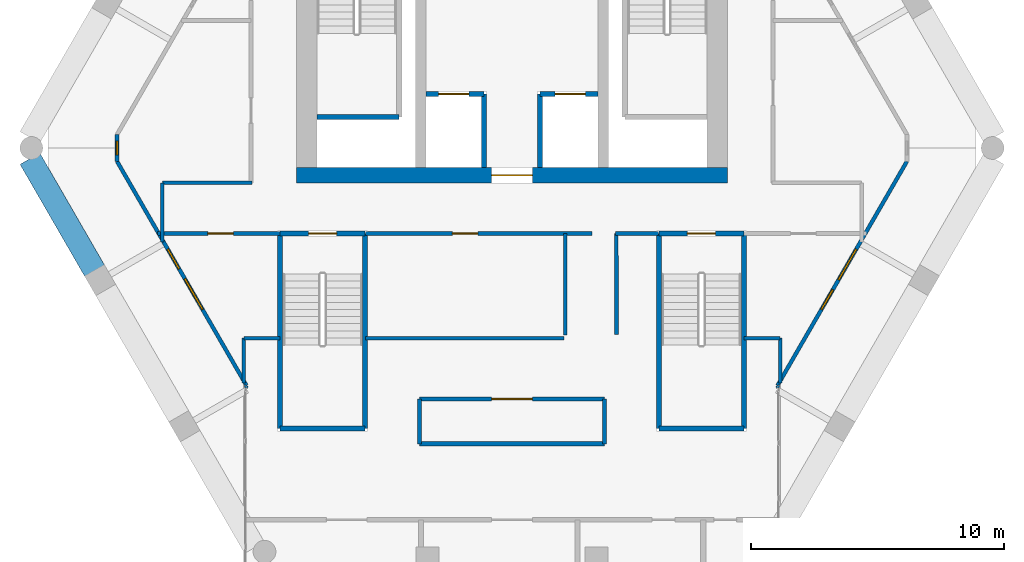
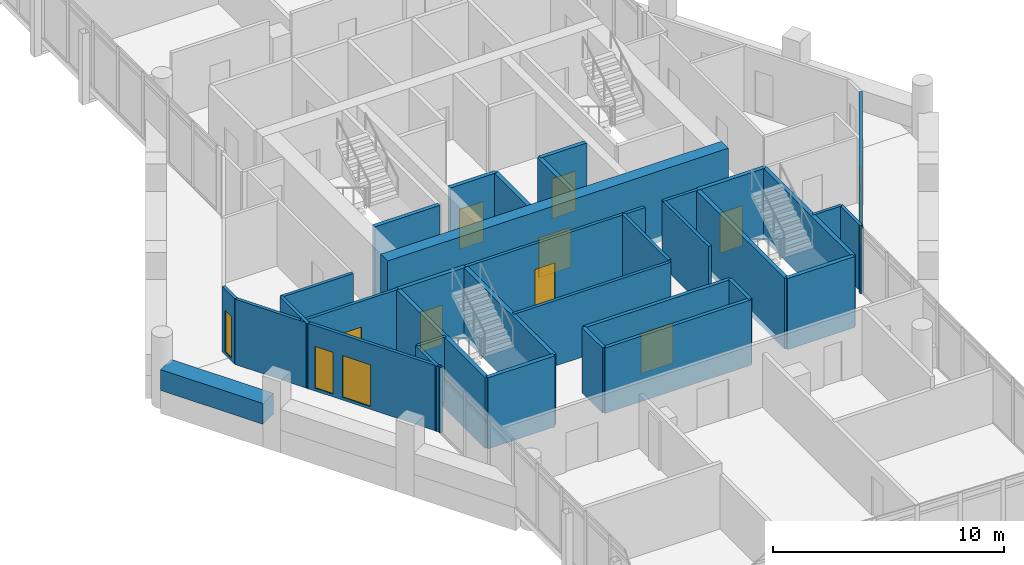
# One storey, part 21 of 25: 36 walls, 8 doors, 5 windows, 13 openings.
"""IFC4 building model written with IfcOpenShell, lengths in metres."""

from ifc_helpers import new_model, si_unit, direction, frame, frame_2d, origin, place, context, subcontext, project, spatial, rectangle, extrude, material, layer, layer_set, type_object, element, fill, save


model = new_model("IFC4")

# Units and contexts
model_context = context("Model", 3, precision=1e-05, world=origin(), true_north=direction((0.0, 1.0)))
body_context = subcontext(model_context, "Body", "Model", "MODEL_VIEW")
ifc_project = project(units=[si_unit("LENGTHUNIT", "METRE"), si_unit("AREAUNIT", "SQUARE_METRE"), si_unit("VOLUMEUNIT", "CUBIC_METRE"), si_unit("PLANEANGLEUNIT", "RADIAN"), si_unit("MASSUNIT", "GRAM", prefix="KILO")], contexts=[model_context])

# Site, building, storey
site_placement = place(None, origin())
site = spatial("IfcSite", under=ifc_project, at=site_placement, CompositionType="ELEMENT")
building_placement = place(site_placement, origin())
building = spatial("IfcBuilding", under=site, at=building_placement, Name="Ostrander Bayou Hotel Tower", CompositionType="ELEMENT")
storey_placement = place(building_placement, frame((0.0, 0.0, 229.5)))
storey = spatial("IfcBuildingStorey", under=building, at=storey_placement, Name="L57", CompositionType="ELEMENT", Elevation=229.5)

# Wall, opening, door
ifc_material_1 = material(Name="Concrete f'c 60 MPa", Category="concrete")
ifc_layer_1 = layer(ifc_material_1, 0.60009765625)
ifc_layer_set_1 = layer_set([ifc_layer_1], Name="CW10 core wall 600 mm f'c 60 MPa")
wall_type_1 = type_object("IfcWallType", Name="CW10 core wall 600 mm f'c 60 MPa", PredefinedType="SHEAR", material=ifc_layer_set_1)
wall_1_placement = place(storey_placement, frame((-8.5, -1.39990234375, -0.300048828125), z_axis=(0.0, 0.0, 1.0), x_axis=(1.0, 0.0, 0.0)))
wall_1 = element("IfcWall", 1, at=wall_1_placement, inside=storey, type_object=wall_type_1, Name="CW10 L57 S", PredefinedType="SHEAR", context=body_context, shape_type="SweptSolid", body=[
    extrude(rectangle(XDim=17.0, YDim=0.60009765625, at=frame_2d((8.5, 0.0))), origin(), (0.0, 0.0, 1.0), 3.75),
])
opening_1_placement = place(wall_1_placement, frame((7.699951171875, 0.0, 0.0)))
opening_1 = element("IfcOpeningElement", 2, at=opening_1_placement, cuts=wall_1, Name="Opening T57-005", PredefinedType="OPENING", context=body_context, shape_type="SweptSolid", body=[
    extrude(rectangle(XDim=1.60009765625, YDim=2.10009765625, at=frame_2d((0.800048828125, 1.050048828125))), frame((0.0, 0.300048828125, 0.0), z_axis=(0.0, -1.0, 0.0), x_axis=(1.0, 0.0, 0.0)), (0.0, 0.0, 1.0), 0.60009765625),
])
ifc_material_2 = material(Name="Timber door leaf", Category="wood")
door_type_1 = type_object("IfcDoorType", Name="D13 double door 1600 x 2100 mm, 1 hour", OperationType="SINGLE_SWING_LEFT", PredefinedType="DOOR", material=ifc_material_2)
door_1_placement = place(opening_1_placement, origin())
door_1 = element("IfcDoor", 3, at=door_1_placement, inside=storey, type_object=door_type_1, Name="dr:L57:005", OperationType="DOUBLE_DOOR_SINGLE_SWING", OverallHeight=2.10009765625, OverallWidth=1.60009765625, PredefinedType="DOOR", context=body_context, shape_type="SweptSolid", body=[
    extrude(rectangle(XDim=1.60009765625, YDim=2.10009765625, at=frame_2d((0.800048828125, 1.050048828125))), frame((0.0, 0.02490234375, 0.0), z_axis=(0.0, -1.0, 0.0), x_axis=(1.0, 0.0, 0.0)), (0.0, 0.0, 1.0), 0.050048828125),
])
fill(opening_1, door_1)

# Wall, openings, windows
ifc_material_3 = material(Name="Aluminium framed insulated wall", Category="aluminium")
ifc_layer_2 = layer(ifc_material_3, 0.14990234375)
ifc_layer_set_2 = layer_set([ifc_layer_2], Name="GW1 glass-line wall 150 mm")
wall_type_2 = type_object("IfcWallType", Name="GW1 glass-line wall 150 mm", PredefinedType="SOLIDWALL", material=ifc_layer_set_2)
wall_2_placement = place(storey_placement, frame((-15.582763671875, -0.85986328125, 0.0), z_axis=(0.0, 0.0, 1.0), x_axis=(0.499995050918, -0.866028261119, 0.0)))
wall_2 = element("IfcWall", 4, at=wall_2_placement, inside=storey, type_object=wall_type_2, Name="GW1 L57 SW 1", PredefinedType="SOLIDWALL", context=body_context, shape_type="SweptSolid", body=[
    extrude(rectangle(XDim=10.20751953125, YDim=0.14990234375, at=frame_2d((5.103759765625, 0.0))), origin(), (0.0, 0.0, 1.0), 3.449951171875),
])
opening_2_placement = place(wall_2_placement, frame((3.993896484375, 0.0, 0.14990234375)))
opening_2 = element("IfcOpeningElement", 5, at=opening_2_placement, cuts=wall_2, Name="Opening W18", PredefinedType="OPENING", context=body_context, shape_type="SweptSolid", body=[
    extrude(rectangle(XDim=0.89990234375, YDim=2.199951171875, at=frame_2d((0.449951171875, 1.10009765625))), frame((0.0, 0.074951171875, 0.0), z_axis=(0.0, -1.0, 0.0), x_axis=(1.0, 0.0, 0.0)), (0.0, 0.0, 1.0), 0.14990234375),
])
opening_3_placement = place(wall_2_placement, frame((5.3466796875, 0.0, 0.14990234375)))
opening_3 = element("IfcOpeningElement", 6, at=opening_3_placement, cuts=wall_2, Name="Opening W14", PredefinedType="OPENING", context=body_context, shape_type="SweptSolid", body=[
    extrude(rectangle(XDim=1.39990234375, YDim=2.199951171875, at=frame_2d((0.699951171875, 1.10009765625))), frame((0.0, 0.074951171875, 0.0), z_axis=(0.0, -1.0, 0.0), x_axis=(1.0, 0.0, 0.0)), (0.0, 0.0, 1.0), 0.14990234375),
])
ifc_material_4 = material(Name="Aluminium and clear glass", Category="aluminium")
window_type_1 = type_object("IfcWindowType", Name="W14 fixed window 1400 mm, bath bay, zone 4", PartitioningType="SINGLE_PANEL", PredefinedType="WINDOW", material=ifc_material_4)
window_1_placement = place(opening_3_placement, origin())
window_1 = element("IfcWindow", 7, at=window_1_placement, inside=storey, type_object=window_type_1, Name="W14 L57 SW 1", OverallHeight=2.199951171875, OverallWidth=1.39990234375, PartitioningType="SINGLE_PANEL", PredefinedType="WINDOW", context=body_context, shape_type="SweptSolid", body=[
    extrude(rectangle(XDim=1.39990234375, YDim=2.199951171875, at=frame_2d((0.699951171875, 1.10009765625))), frame((0.0, 0.030029296875, 0.0), z_axis=(0.0, -1.0, 0.0), x_axis=(1.0, 0.0, 0.0)), (0.0, 0.0, 1.0), 0.06005859375),
])
fill(opening_3, window_1)
ifc_material_5 = material(Name="Aluminium and clear glass", Category="aluminium")
window_type_2 = type_object("IfcWindowType", Name="W18 window 900 mm, zone 4", PartitioningType="SINGLE_PANEL", PredefinedType="WINDOW", material=ifc_material_5)
window_2_placement = place(opening_2_placement, origin())
window_2 = element("IfcWindow", 8, at=window_2_placement, inside=storey, type_object=window_type_2, Name="W18 L57 SW 1", OverallHeight=2.199951171875, OverallWidth=0.89990234375, PartitioningType="SINGLE_PANEL", PredefinedType="WINDOW", context=body_context, shape_type="SweptSolid", body=[
    extrude(rectangle(XDim=0.89990234375, YDim=2.199951171875, at=frame_2d((0.449951171875, 1.10009765625))), frame((0.0, 0.030029296875, 0.0), z_axis=(0.0, -1.0, 0.0), x_axis=(1.0, 0.0, 0.0)), (0.0, 0.0, 1.0), 0.06005859375),
])
fill(opening_2, window_2)

wall_3_placement = place(storey_placement, frame((10.47900390625, -9.699951171875, 0.0), z_axis=(0.0, 0.0, 1.0), x_axis=(0.499995050918, 0.866028261119, 0.0)))
wall_3 = element("IfcWall", 9, at=wall_3_placement, inside=storey, type_object=wall_type_2, Name="GW1 L57 SE 1", PredefinedType="SOLIDWALL", context=body_context, shape_type="SweptSolid", body=[
    extrude(rectangle(XDim=10.20751953125, YDim=0.14990234375, at=frame_2d((5.103759765625, 0.0))), origin(), (0.0, 0.0, 1.0), 3.449951171875),
])
opening_4_placement = place(wall_3_placement, frame((3.4609375, 0.0, 0.14990234375)))
opening_4 = element("IfcOpeningElement", 10, at=opening_4_placement, cuts=wall_3, Name="Opening W18", PredefinedType="OPENING", context=body_context, shape_type="SweptSolid", body=[
    extrude(rectangle(XDim=0.89990234375, YDim=2.199951171875, at=frame_2d((0.449951171875, 1.10009765625))), frame((0.0, 0.074951171875, 0.0), z_axis=(0.0, -1.0, 0.0), x_axis=(1.0, 0.0, 0.0)), (0.0, 0.0, 1.0), 0.14990234375),
])
opening_5_placement = place(wall_3_placement, frame((4.81396484375, 0.0, 0.14990234375)))
opening_5 = element("IfcOpeningElement", 11, at=opening_5_placement, cuts=wall_3, Name="Opening W14", PredefinedType="OPENING", context=body_context, shape_type="SweptSolid", body=[
    extrude(rectangle(XDim=1.39990234375, YDim=2.199951171875, at=frame_2d((0.699951171875, 1.10009765625))), frame((0.0, 0.074951171875, 0.0), z_axis=(0.0, -1.0, 0.0), x_axis=(1.0, 0.0, 0.0)), (0.0, 0.0, 1.0), 0.14990234375),
])
window_3_placement = place(opening_5_placement, origin())
window_3 = element("IfcWindow", 12, at=window_3_placement, inside=storey, type_object=window_type_1, Name="W14 L57 SE 2", OverallHeight=2.199951171875, OverallWidth=1.39990234375, PartitioningType="SINGLE_PANEL", PredefinedType="WINDOW", context=body_context, shape_type="SweptSolid", body=[
    extrude(rectangle(XDim=1.39990234375, YDim=2.199951171875, at=frame_2d((0.699951171875, 1.10009765625))), frame((0.0, 0.030029296875, 0.0), z_axis=(0.0, -1.0, 0.0), x_axis=(1.0, 0.0, 0.0)), (0.0, 0.0, 1.0), 0.06005859375),
])
fill(opening_5, window_3)
window_4_placement = place(opening_4_placement, origin())
window_4 = element("IfcWindow", 13, at=window_4_placement, inside=storey, type_object=window_type_2, Name="W18 L57 SE 2", OverallHeight=2.199951171875, OverallWidth=0.89990234375, PartitioningType="SINGLE_PANEL", PredefinedType="WINDOW", context=body_context, shape_type="SweptSolid", body=[
    extrude(rectangle(XDim=0.89990234375, YDim=2.199951171875, at=frame_2d((0.449951171875, 1.10009765625))), frame((0.0, 0.030029296875, 0.0), z_axis=(0.0, -1.0, 0.0), x_axis=(1.0, 0.0, 0.0)), (0.0, 0.0, 1.0), 0.06005859375),
])
fill(opening_4, window_4)

# Wall, opening, window
wall_4_placement = place(storey_placement, frame((-15.582763671875, 0.205078125, 0.0), z_axis=(0.0, 0.0, 1.0), x_axis=(0.0, -1.0, 0.0)))
wall_4 = element("IfcWall", 14, at=wall_4_placement, inside=storey, type_object=wall_type_2, Name="GW1 L57 corner 2", PredefinedType="SOLIDWALL", context=body_context, shape_type="SweptSolid", body=[
    extrude(rectangle(XDim=1.06494140625, YDim=0.14990234375, at=frame_2d((0.532470703125, 0.0))), origin(), (0.0, 0.0, 1.0), 3.449951171875),
])
opening_6_placement = place(wall_4_placement, frame((0.257568359375, 0.0, 0.14990234375)))
opening_6 = element("IfcOpeningElement", 15, at=opening_6_placement, cuts=wall_4, Name="Opening W19", PredefinedType="OPENING", context=body_context, shape_type="SweptSolid", body=[
    extrude(rectangle(XDim=0.550048828125, YDim=2.199951171875, at=frame_2d((0.27490234375, 1.10009765625))), frame((0.0, 0.074951171875, 0.0), z_axis=(0.0, -1.0, 0.0), x_axis=(1.0, 0.0, 0.0)), (0.0, 0.0, 1.0), 0.14990234375),
])
ifc_material_6 = material(Name="Aluminium and clear glass", Category="aluminium")
window_type_3 = type_object("IfcWindowType", Name="W19 corner window 550 mm", PartitioningType="SINGLE_PANEL", PredefinedType="WINDOW", material=ifc_material_6)
window_5_placement = place(opening_6_placement, origin())
window_5 = element("IfcWindow", 16, at=window_5_placement, inside=storey, type_object=window_type_3, Name="W19 L57 corner 2", OverallHeight=2.199951171875, OverallWidth=0.550048828125, PartitioningType="SINGLE_PANEL", PredefinedType="WINDOW", context=body_context, shape_type="SweptSolid", body=[
    extrude(rectangle(XDim=0.550048828125, YDim=2.199951171875, at=frame_2d((0.27490234375, 1.10009765625))), frame((0.0, 0.030029296875, 0.0), z_axis=(0.0, -1.0, 0.0), x_axis=(1.0, 0.0, 0.0)), (0.0, 0.0, 1.0), 0.06005859375),
])
fill(opening_6, window_5)

# Walls
for number, where, z_axis, x_axis, name in (
    (17, (-10.47900390625, -9.699951171875, 0.0), (0.0, 0.0, 1.0), (-0.338543167143, -0.940950861619, 0.0), "GW1 L57 bar joint 2"),
    (18, (10.47900390625, -9.699951171875, 0.0), (0.0, 0.0, 1.0), (0.338543167143, -0.940950861619, 0.0), "GW1 L57 bar joint 3"),
):
    element("IfcWall", number, at=place(storey_placement, frame(where, z_axis=z_axis, x_axis=x_axis)), inside=storey, type_object=wall_type_2, Name=name, PredefinedType="SOLIDWALL", context=body_context, shape_type="SweptSolid", body=[
        extrude(rectangle(XDim=0.09814453125, YDim=0.14990234375, at=frame_2d((0.049072265625, 0.0))), origin(), (0.0, 0.0, 1.0), 3.449951171875),
    ])
ifc_material_7 = material(Name="Limestone masonry", Category="masonry")
ifc_layer_3 = layer(ifc_material_7, 0.89990234375)
ifc_layer_set_3 = layer_set([ifc_layer_3], Name="PA2 limestone parapet 900 mm")
wall_type_3 = type_object("IfcWallType", Name="PA2 limestone parapet 900 mm", PredefinedType="PARAPET", material=ifc_layer_set_3)
wall_5_placement = place(storey_placement, frame((-19.024169921875, -0.749267578125, 0.0), z_axis=(0.0, 0.0, 1.0), x_axis=(0.499995206172, -0.866028171485, 0.0)))
element("IfcWall", 19, at=wall_5_placement, inside=storey, type_object=wall_type_3, Name="PA2 L57 SW-1", PredefinedType="PARAPET", context=body_context, shape_type="SweptSolid", body=[
    extrude(rectangle(XDim=5.11376953125, YDim=0.89990234375, at=frame_2d((2.556884765625, 0.0))), origin(), (0.0, 0.0, 1.0), 1.10009765625),
])
ifc_material_8 = material(Name="Gypsum board partition", Category="finish")
ifc_layer_4 = layer(ifc_material_8, 0.175048828125)
ifc_layer_set_4 = layer_set([ifc_layer_4], Name="PT4 corridor wall 175 mm, 1 hour")
wall_type_4 = type_object("IfcWallType", Name="PT4 corridor wall 175 mm, 1 hour", PredefinedType="PARTITIONING", material=ifc_layer_set_4)
wall_6_placement = place(storey_placement, frame((-3.64990234375, -12.0, 0.0), z_axis=(0.0, 0.0, 1.0), x_axis=(1.0, 0.0, 0.0)))
element("IfcWall", 20, at=wall_6_placement, inside=storey, type_object=wall_type_4, Name="sw:L57:501", PredefinedType="PARTITIONING", context=body_context, shape_type="SweptSolid", body=[
    extrude(rectangle(XDim=7.2998046875, YDim=0.175048828125, at=frame_2d((3.64990234375, 0.0))), origin(), (0.0, 0.0, 1.0), 3.449951171875),
])

# Wall, opening, door
wall_7_placement = place(storey_placement, frame((-3.64990234375, -10.23291015625, 0.0), z_axis=(0.0, 0.0, 1.0), x_axis=(1.0, 0.0, 0.0)))
wall_7 = element("IfcWall", 21, at=wall_7_placement, inside=storey, type_object=wall_type_4, Name="sw:L57:502", PredefinedType="PARTITIONING", context=body_context, shape_type="SweptSolid", body=[
    extrude(rectangle(XDim=7.2998046875, YDim=0.175048828125, at=frame_2d((3.64990234375, 0.0))), origin(), (0.0, 0.0, 1.0), 3.449951171875),
])
opening_7_placement = place(wall_7_placement, frame((2.85009765625, 0.0, 0.0)))
opening_7 = element("IfcOpeningElement", 22, at=opening_7_placement, cuts=wall_7, Name="Opening T57-1200", PredefinedType="OPENING", context=body_context, shape_type="SweptSolid", body=[
    extrude(rectangle(XDim=1.60009765625, YDim=2.10009765625, at=frame_2d((0.800048828125, 1.050048828125))), frame((0.0, 0.08740234375, 0.0), z_axis=(0.0, -1.0, 0.0), x_axis=(1.0, 0.0, 0.0)), (0.0, 0.0, 1.0), 0.175048828125),
])
door_2_placement = place(opening_7_placement, origin())
door_2 = element("IfcDoor", 23, at=door_2_placement, inside=storey, type_object=door_type_1, Name="dr:L57:1200", OperationType="DOUBLE_DOOR_SINGLE_SWING", OverallHeight=2.10009765625, OverallWidth=1.60009765625, PredefinedType="DOOR", context=body_context, shape_type="SweptSolid", body=[
    extrude(rectangle(XDim=1.60009765625, YDim=2.10009765625, at=frame_2d((0.800048828125, 1.050048828125))), frame((0.0, 0.02490234375, 0.0), z_axis=(0.0, -1.0, 0.0), x_axis=(1.0, 0.0, 0.0)), (0.0, 0.0, 1.0), 0.050048828125),
])
fill(opening_7, door_2)

# Walls
for number, where, z_axis, x_axis, name in (
    (24, (-3.64990234375, -12.0, 0.0), (0.0, 0.0, 1.0), (0.0, 1.0, 0.0), "sw:L57:508"),
    (25, (3.64990234375, -12.0, 0.0), (0.0, 0.0, 1.0), (0.0, 1.0, 0.0), "sw:L57:509"),
):
    element("IfcWall", number, at=place(storey_placement, frame(where, z_axis=z_axis, x_axis=x_axis)), inside=storey, type_object=wall_type_4, Name=name, PredefinedType="PARTITIONING", context=body_context, shape_type="SweptSolid", body=[
        extrude(rectangle(XDim=1.7666015625, YDim=0.175048828125, at=frame_2d((0.88330078125, 0.0))), origin(), (0.0, 0.0, 1.0), 3.449951171875),
    ])

# Wall, opening, door
ifc_material_9 = material(Name="Masonry block", Category="masonry")
ifc_layer_5 = layer(ifc_material_9, 0.199951171875)
ifc_layer_set_5 = layer_set([ifc_layer_5], Name="PT6 lift shaft wall 200 mm masonry, 2 hour")
wall_type_5 = type_object("IfcWallType", Name="PT6 lift shaft wall 200 mm masonry, 2 hour", PredefinedType="PARTITIONING", material=ifc_layer_set_5)
wall_8_placement = place(storey_placement, frame((-3.39990234375, 1.800048828125, 0.0), z_axis=(0.0, 0.0, 1.0), x_axis=(1.0, 0.0, 0.0)))
wall_8 = element("IfcWall", 26, at=wall_8_placement, inside=storey, type_object=wall_type_5, Name="cs:L57:001", PredefinedType="PARTITIONING", context=body_context, shape_type="SweptSolid", body=[
    extrude(rectangle(XDim=2.2998046875, YDim=0.199951171875, at=frame_2d((1.14990234375, 0.0))), origin(), (0.0, 0.0, 1.0), 3.449951171875),
])
opening_8_placement = place(wall_8_placement, frame((0.5, 0.0, 0.0)))
opening_8 = element("IfcOpeningElement", 27, at=opening_8_placement, cuts=wall_8, Name="Opening T57-001", PredefinedType="OPENING", context=body_context, shape_type="SweptSolid", body=[
    extrude(rectangle(XDim=1.199951171875, YDim=2.10009765625, at=frame_2d((0.60009765625, 1.050048828125))), frame((0.0, 0.10009765625, 0.0), z_axis=(0.0, -1.0, 0.0), x_axis=(1.0, 0.0, 0.0)), (0.0, 0.0, 1.0), 0.199951171875),
])
ifc_material_10 = material(Name="Stainless steel sliding door", Category="steel")
door_type_2 = type_object("IfcDoorType", Name="LD1 lift landing door 1200 x 2100 mm", OperationType="SINGLE_SWING_LEFT", PredefinedType="DOOR", material=ifc_material_10)
door_3_placement = place(opening_8_placement, origin())
door_3 = element("IfcDoor", 28, at=door_3_placement, inside=storey, type_object=door_type_2, Name="dr:L57:001", OperationType="SLIDING_TO_LEFT", OverallHeight=2.10009765625, OverallWidth=1.199951171875, PredefinedType="DOOR", context=body_context, shape_type="SweptSolid", body=[
    extrude(rectangle(XDim=1.199951171875, YDim=2.10009765625, at=frame_2d((0.60009765625, 1.050048828125))), frame((0.0, 0.02490234375, 0.0), z_axis=(0.0, -1.0, 0.0), x_axis=(1.0, 0.0, 0.0)), (0.0, 0.0, 1.0), 0.050048828125),
])
fill(opening_8, door_3)

wall_9_placement = place(storey_placement, frame((1.10009765625, 1.800048828125, 0.0), z_axis=(0.0, 0.0, 1.0), x_axis=(1.0, 0.0, 0.0)))
wall_9 = element("IfcWall", 29, at=wall_9_placement, inside=storey, type_object=wall_type_5, Name="cs:L57:003", PredefinedType="PARTITIONING", context=body_context, shape_type="SweptSolid", body=[
    extrude(rectangle(XDim=2.2998046875, YDim=0.199951171875, at=frame_2d((1.14990234375, 0.0))), origin(), (0.0, 0.0, 1.0), 3.449951171875),
])
opening_9_placement = place(wall_9_placement, frame((0.60009765625, 0.0, 0.0)))
opening_9 = element("IfcOpeningElement", 30, at=opening_9_placement, cuts=wall_9, Name="Opening T57-002", PredefinedType="OPENING", context=body_context, shape_type="SweptSolid", body=[
    extrude(rectangle(XDim=1.199951171875, YDim=2.10009765625, at=frame_2d((0.60009765625, 1.050048828125))), frame((0.0, 0.10009765625, 0.0), z_axis=(0.0, -1.0, 0.0), x_axis=(1.0, 0.0, 0.0)), (0.0, 0.0, 1.0), 0.199951171875),
])
door_4_placement = place(opening_9_placement, origin())
door_4 = element("IfcDoor", 31, at=door_4_placement, inside=storey, type_object=door_type_2, Name="dr:L57:002", OperationType="SLIDING_TO_LEFT", OverallHeight=2.10009765625, OverallWidth=1.199951171875, PredefinedType="DOOR", context=body_context, shape_type="SweptSolid", body=[
    extrude(rectangle(XDim=1.199951171875, YDim=2.10009765625, at=frame_2d((0.60009765625, 1.050048828125))), frame((0.0, 0.02490234375, 0.0), z_axis=(0.0, -1.0, 0.0), x_axis=(1.0, 0.0, 0.0)), (0.0, 0.0, 1.0), 0.050048828125),
])
fill(opening_9, door_4)

# Walls
for number, where, z_axis, x_axis, name in (
    (32, (-1.10009765625, -1.10009765625, 0.0), (0.0, 0.0, 1.0), (0.0, 1.0, 0.0), "cs:L57:005"),
    (33, (1.10009765625, -1.10009765625, 0.0), (0.0, 0.0, 1.0), (0.0, 1.0, 0.0), "cs:L57:006"),
):
    element("IfcWall", number, at=place(storey_placement, frame(where, z_axis=z_axis, x_axis=x_axis)), inside=storey, type_object=wall_type_5, Name=name, PredefinedType="PARTITIONING", context=body_context, shape_type="SweptSolid", body=[
        extrude(rectangle(XDim=2.900146484375, YDim=0.199951171875, at=frame_2d((1.4501953125, 0.0))), origin(), (0.0, 0.0, 1.0), 3.449951171875),
    ])
ifc_material_11 = material(Name="Gypsum board partition", Category="finish")
ifc_layer_6 = layer(ifc_material_11, 0.14990234375)
ifc_layer_set_6 = layer_set([ifc_layer_6], Name="PT8 service band wall 150 mm, 1 hour")
wall_type_6 = type_object("IfcWallType", Name="PT8 service band wall 150 mm, 1 hour", PredefinedType="PARTITIONING", material=ifc_layer_set_6)
wall_10_placement = place(storey_placement, frame((-10.5849609375, -7.8349609375, 0.0), z_axis=(0.0, 0.0, 1.0), x_axis=(1.0, 0.0, 0.0)))
element("IfcWall", 34, at=wall_10_placement, inside=storey, type_object=wall_type_6, Name="gw:L57:001", PredefinedType="PARTITIONING", context=body_context, shape_type="SweptSolid", body=[
    extrude(rectangle(XDim=1.425048828125, YDim=0.14990234375, at=frame_2d((0.71240234375, 0.0))), origin(), (0.0, 0.0, 1.0), 3.449951171875),
])
wall_11_placement = place(storey_placement, frame((-5.7900390625, -7.8349609375, 0.0), z_axis=(0.0, 0.0, 1.0), x_axis=(1.0, 0.0, 0.0)))
element("IfcWall", 35, at=wall_11_placement, inside=storey, type_object=wall_type_6, Name="gw:L57:002", PredefinedType="PARTITIONING", context=body_context, shape_type="SweptSolid", body=[
    extrude(rectangle(XDim=7.840087890625, YDim=0.14990234375, at=frame_2d((3.919921875, 0.0))), origin(), (0.0, 0.0, 1.0), 3.449951171875),
])
wall_12_placement = place(storey_placement, frame((9.159912109375, -7.8349609375, 0.0), z_axis=(0.0, 0.0, 1.0), x_axis=(1.0, 0.0, 0.0)))
element("IfcWall", 36, at=wall_12_placement, inside=storey, type_object=wall_type_6, Name="gw:L57:003", PredefinedType="PARTITIONING", context=body_context, shape_type="SweptSolid", body=[
    extrude(rectangle(XDim=1.425048828125, YDim=0.14990234375, at=frame_2d((0.71240234375, 0.0))), origin(), (0.0, 0.0, 1.0), 3.449951171875),
])

# Wall, opening, door
wall_13_placement = place(storey_placement, frame((-13.9951171875, -3.699951171875, 0.0), z_axis=(0.0, 0.0, 1.0), x_axis=(1.0, 0.0, 0.0)))
wall_13 = element("IfcWall", 37, at=wall_13_placement, inside=storey, type_object=wall_type_6, Name="gw:L57:004", PredefinedType="PARTITIONING", context=body_context, shape_type="SweptSolid", body=[
    extrude(rectangle(XDim=4.835205078125, YDim=0.14990234375, at=frame_2d((2.41748046875, 0.0))), origin(), (0.0, 0.0, 1.0), 3.449951171875),
])
opening_10_placement = place(wall_13_placement, frame((1.9951171875, 0.0, 0.0)))
opening_10 = element("IfcOpeningElement", 38, at=opening_10_placement, cuts=wall_13, Name="Opening T57-401", PredefinedType="OPENING", context=body_context, shape_type="SweptSolid", body=[
    extrude(rectangle(XDim=1.0, YDim=2.10009765625, at=frame_2d((0.5, 1.050048828125))), frame((0.0, 0.074951171875, 0.0), z_axis=(0.0, -1.0, 0.0), x_axis=(1.0, 0.0, 0.0)), (0.0, 0.0, 1.0), 0.14990234375),
])
ifc_material_12 = material(Name="Timber door leaf", Category="wood")
door_type_3 = type_object("IfcDoorType", Name="D9 service door 1000 x 2100 mm, 30 minute", OperationType="SINGLE_SWING_LEFT", PredefinedType="DOOR", material=ifc_material_12)
door_5_placement = place(opening_10_placement, origin())
door_5 = element("IfcDoor", 39, at=door_5_placement, inside=storey, type_object=door_type_3, Name="dr:L57:401", OperationType="SINGLE_SWING_RIGHT", OverallHeight=2.10009765625, OverallWidth=1.0, PredefinedType="DOOR", context=body_context, shape_type="SweptSolid", body=[
    extrude(rectangle(XDim=1.0, YDim=2.10009765625, at=frame_2d((0.5, 1.050048828125))), frame((0.0, 0.02490234375, 0.0), z_axis=(0.0, -1.0, 0.0), x_axis=(1.0, 0.0, 0.0)), (0.0, 0.0, 1.0), 0.050048828125),
])
fill(opening_10, door_5)

wall_14_placement = place(storey_placement, frame((-5.7900390625, -3.699951171875, 0.0), z_axis=(0.0, 0.0, 1.0), x_axis=(1.0, 0.0, 0.0)))
wall_14 = element("IfcWall", 40, at=wall_14_placement, inside=storey, type_object=wall_type_6, Name="gw:L57:005", PredefinedType="PARTITIONING", context=body_context, shape_type="SweptSolid", body=[
    extrude(rectangle(XDim=8.945068359375, YDim=0.14990234375, at=frame_2d((4.47265625, 0.0))), origin(), (0.0, 0.0, 1.0), 3.449951171875),
])
opening_11_placement = place(wall_14_placement, frame((3.43994140625, 0.0, 0.0)))
opening_11 = element("IfcOpeningElement", 41, at=opening_11_placement, cuts=wall_14, Name="Opening T57-400", PredefinedType="OPENING", context=body_context, shape_type="SweptSolid", body=[
    extrude(rectangle(XDim=1.0, YDim=2.10009765625, at=frame_2d((0.5, 1.050048828125))), frame((0.0, 0.074951171875, 0.0), z_axis=(0.0, -1.0, 0.0), x_axis=(1.0, 0.0, 0.0)), (0.0, 0.0, 1.0), 0.14990234375),
])
ifc_material_13 = material(Name="Timber door leaf", Category="wood")
door_type_4 = type_object("IfcDoorType", Name="D15 room door 1000 x 2100 mm", OperationType="SINGLE_SWING_LEFT", PredefinedType="DOOR", material=ifc_material_13)
door_6_placement = place(opening_11_placement, origin())
door_6 = element("IfcDoor", 42, at=door_6_placement, inside=storey, type_object=door_type_4, Name="dr:L57:400", OperationType="SINGLE_SWING_RIGHT", OverallHeight=2.10009765625, OverallWidth=1.0, PredefinedType="DOOR", context=body_context, shape_type="SweptSolid", body=[
    extrude(rectangle(XDim=1.0, YDim=2.10009765625, at=frame_2d((0.5, 1.050048828125))), frame((0.0, 0.02490234375, 0.0), z_axis=(0.0, -1.0, 0.0), x_axis=(1.0, 0.0, 0.0)), (0.0, 0.0, 1.0), 0.050048828125),
])
fill(opening_11, door_6)

# Walls
wall_15_placement = place(storey_placement, frame((4.074951171875, -3.699951171875, 0.0), z_axis=(0.0, 0.0, 1.0), x_axis=(1.0, 0.0, 0.0)))
element("IfcWall", 43, at=wall_15_placement, inside=storey, type_object=wall_type_6, Name="gw:L57:006", PredefinedType="PARTITIONING", context=body_context, shape_type="SweptSolid", body=[
    extrude(rectangle(XDim=1.715087890625, YDim=0.14990234375, at=frame_2d((0.857421875, 0.0))), origin(), (0.0, 0.0, 1.0), 3.449951171875),
])
wall_16_placement = place(storey_placement, frame((-13.800048828125, -1.699951171875, 0.0), z_axis=(0.0, 0.0, 1.0), x_axis=(1.0, 0.0, 0.0)))
element("IfcWall", 44, at=wall_16_placement, inside=storey, type_object=wall_type_6, Name="gw:L57:008", PredefinedType="PARTITIONING", context=body_context, shape_type="SweptSolid", body=[
    extrude(rectangle(XDim=3.5400390625, YDim=0.14990234375, at=frame_2d((1.77001953125, 0.0))), origin(), (0.0, 0.0, 1.0), 3.449951171875),
])
wall_17_placement = place(storey_placement, frame((10.5849609375, -9.60595703125, 0.0), z_axis=(0.0, 0.0, 1.0), x_axis=(0.0, 1.0, 0.0)))
element("IfcWall", 45, at=wall_17_placement, inside=storey, type_object=wall_type_6, Name="gw:L57:015", PredefinedType="PARTITIONING", context=body_context, shape_type="SweptSolid", body=[
    extrude(rectangle(XDim=1.77099609375, YDim=0.14990234375, at=frame_2d((0.885498046875, 0.0))), origin(), (0.0, 0.0, 1.0), 3.449951171875),
])
wall_18_placement = place(storey_placement, frame((2.10009765625, -7.699951171875, 0.0), z_axis=(0.0, 0.0, 1.0), x_axis=(0.0, 1.0, 0.0)))
element("IfcWall", 46, at=wall_18_placement, inside=storey, type_object=wall_type_6, Name="gw:L57:018", PredefinedType="PARTITIONING", context=body_context, shape_type="SweptSolid", body=[
    extrude(rectangle(XDim=4.0, YDim=0.14990234375, at=frame_2d((2.0, 0.0))), origin(), (0.0, 0.0, 1.0), 3.449951171875),
])
wall_19_placement = place(storey_placement, frame((-10.5849609375, -9.60595703125, 0.0), z_axis=(0.0, 0.0, 1.0), x_axis=(0.0, 1.0, 0.0)))
element("IfcWall", 47, at=wall_19_placement, inside=storey, type_object=wall_type_6, Name="gw:L57:020", PredefinedType="PARTITIONING", context=body_context, shape_type="SweptSolid", body=[
    extrude(rectangle(XDim=1.77099609375, YDim=0.14990234375, at=frame_2d((0.885498046875, 0.0))), origin(), (0.0, 0.0, 1.0), 3.449951171875),
])
wall_20_placement = place(storey_placement, frame((-13.800048828125, -4.0380859375, 0.0), z_axis=(0.0, 0.0, 1.0), x_axis=(0.0, 1.0, 0.0)))
element("IfcWall", 48, at=wall_20_placement, inside=storey, type_object=wall_type_6, Name="gw:L57:022", PredefinedType="PARTITIONING", context=body_context, shape_type="SweptSolid", body=[
    extrude(rectangle(XDim=2.338134765625, YDim=0.14990234375, at=frame_2d((1.1689453125, 0.0))), origin(), (0.0, 0.0, 1.0), 3.449951171875),
])
wall_21_placement = place(storey_placement, frame((4.1298828125, -7.695068359375, 0.0), z_axis=(0.0, 0.0, 1.0), x_axis=(-0.003727669041, 0.999993052218, 0.0)))
element("IfcWall", 49, at=wall_21_placement, inside=storey, type_object=wall_type_6, Name="gw:L57:023", PredefinedType="PARTITIONING", context=body_context, shape_type="SweptSolid", body=[
    extrude(rectangle(XDim=3.9951171875, YDim=0.14990234375, at=frame_2d((1.99755859375, 0.0))), origin(), (0.0, 0.0, 1.0), 3.449951171875),
])
ifc_material_14 = material(Name="Concrete f'c 45 MPa", Category="concrete")
ifc_layer_7 = layer(ifc_material_14, 0.199951171875)
ifc_layer_set_7 = layer_set([ifc_layer_7], Name="SW5 stair enclosure wall 200 mm f'c 45 MPa")
wall_type_7 = type_object("IfcWallType", Name="SW5 stair enclosure wall 200 mm f'c 45 MPa", PredefinedType="SOLIDWALL", material=ifc_layer_set_7)
wall_22_placement = place(storey_placement, frame((-7.699951171875, 0.89990234375, -0.300048828125), z_axis=(0.0, 0.0, 1.0), x_axis=(1.0, 0.0, 0.0)))
element("IfcWall", 50, at=wall_22_placement, inside=storey, type_object=wall_type_7, Name="cs:L57:010", PredefinedType="SOLIDWALL", context=body_context, shape_type="SweptSolid", body=[
    extrude(rectangle(XDim=3.25, YDim=0.199951171875, at=frame_2d((1.625, 0.0))), origin(), (0.0, 0.0, 1.0), 3.75),
])

# Wall, opening, door
wall_23_placement = place(storey_placement, frame((5.800048828125, -3.699951171875, -0.300048828125), z_axis=(0.0, 0.0, 1.0), x_axis=(1.0, 0.0, 0.0)))
wall_23 = element("IfcWall", 51, at=wall_23_placement, inside=storey, type_object=wall_type_7, Name="cs:L57:013", PredefinedType="SOLIDWALL", context=body_context, shape_type="SweptSolid", body=[
    extrude(rectangle(XDim=3.349853515625, YDim=0.199951171875, at=frame_2d((1.6748046875, 0.0))), origin(), (0.0, 0.0, 1.0), 3.75),
])
opening_12_placement = place(wall_23_placement, frame((1.125, 0.0, 0.0)))
opening_12 = element("IfcOpeningElement", 52, at=opening_12_placement, cuts=wall_23, Name="Opening T57-011", PredefinedType="OPENING", context=body_context, shape_type="SweptSolid", body=[
    extrude(rectangle(XDim=1.10009765625, YDim=2.10009765625, at=frame_2d((0.550048828125, 1.050048828125))), frame((0.0, 0.10009765625, 0.0), z_axis=(0.0, -1.0, 0.0), x_axis=(1.0, 0.0, 0.0)), (0.0, 0.0, 1.0), 0.199951171875),
])
ifc_material_15 = material(Name="Timber door leaf", Category="wood")
door_type_5 = type_object("IfcDoorType", Name="D5 stair door 1100 x 2100 mm, 90 minute", OperationType="SINGLE_SWING_LEFT", PredefinedType="DOOR", material=ifc_material_15)
door_7_placement = place(opening_12_placement, origin())
door_7 = element("IfcDoor", 53, at=door_7_placement, inside=storey, type_object=door_type_5, Name="dr:L57:011", OperationType="SINGLE_SWING_LEFT", OverallHeight=2.10009765625, OverallWidth=1.10009765625, PredefinedType="DOOR", context=body_context, shape_type="SweptSolid", body=[
    extrude(rectangle(XDim=1.10009765625, YDim=2.10009765625, at=frame_2d((0.550048828125, 1.050048828125))), frame((0.0, 0.02490234375, 0.0), z_axis=(0.0, -1.0, 0.0), x_axis=(1.0, 0.0, 0.0)), (0.0, 0.0, 1.0), 0.050048828125),
])
fill(opening_12, door_7)

# Walls
for number, where, z_axis, x_axis, name in (
    (54, (5.800048828125, -3.699951171875, -0.300048828125), (0.0, 0.0, 1.0), (0.0, -1.0, 0.0), "cs:L57:014"),
    (55, (9.14990234375, -3.699951171875, -0.300048828125), (0.0, 0.0, 1.0), (0.0, -1.0, 0.0), "cs:L57:015"),
):
    element("IfcWall", number, at=place(storey_placement, frame(where, z_axis=z_axis, x_axis=x_axis)), inside=storey, type_object=wall_type_7, Name=name, PredefinedType="SOLIDWALL", context=body_context, shape_type="SweptSolid", body=[
        extrude(rectangle(XDim=7.699951171875, YDim=0.199951171875, at=frame_2d((3.85009765625, 0.0))), origin(), (0.0, 0.0, 1.0), 3.75),
    ])
wall_24_placement = place(storey_placement, frame((5.800048828125, -11.39990234375, -0.300048828125), z_axis=(0.0, 0.0, 1.0), x_axis=(1.0, 0.0, 0.0)))
element("IfcWall", 56, at=wall_24_placement, inside=storey, type_object=wall_type_7, Name="cs:L57:016", PredefinedType="SOLIDWALL", context=body_context, shape_type="SweptSolid", body=[
    extrude(rectangle(XDim=3.349853515625, YDim=0.199951171875, at=frame_2d((1.6748046875, 0.0))), origin(), (0.0, 0.0, 1.0), 3.75),
])

# Wall, opening, door
wall_25_placement = place(storey_placement, frame((-9.14990234375, -3.699951171875, -0.300048828125), z_axis=(0.0, 0.0, 1.0), x_axis=(1.0, 0.0, 0.0)))
wall_25 = element("IfcWall", 57, at=wall_25_placement, inside=storey, type_object=wall_type_7, Name="cs:L57:017", PredefinedType="SOLIDWALL", context=body_context, shape_type="SweptSolid", body=[
    extrude(rectangle(XDim=3.349853515625, YDim=0.199951171875, at=frame_2d((1.6748046875, 0.0))), origin(), (0.0, 0.0, 1.0), 3.75),
])
opening_13_placement = place(wall_25_placement, frame((1.125, 0.0, 0.0)))
opening_13 = element("IfcOpeningElement", 58, at=opening_13_placement, cuts=wall_25, Name="Opening T57-012", PredefinedType="OPENING", context=body_context, shape_type="SweptSolid", body=[
    extrude(rectangle(XDim=1.10009765625, YDim=2.10009765625, at=frame_2d((0.550048828125, 1.050048828125))), frame((0.0, 0.10009765625, 0.0), z_axis=(0.0, -1.0, 0.0), x_axis=(1.0, 0.0, 0.0)), (0.0, 0.0, 1.0), 0.199951171875),
])
door_8_placement = place(opening_13_placement, origin())
door_8 = element("IfcDoor", 59, at=door_8_placement, inside=storey, type_object=door_type_5, Name="dr:L57:012", OperationType="SINGLE_SWING_LEFT", OverallHeight=2.10009765625, OverallWidth=1.10009765625, PredefinedType="DOOR", context=body_context, shape_type="SweptSolid", body=[
    extrude(rectangle(XDim=1.10009765625, YDim=2.10009765625, at=frame_2d((0.550048828125, 1.050048828125))), frame((0.0, 0.02490234375, 0.0), z_axis=(0.0, -1.0, 0.0), x_axis=(1.0, 0.0, 0.0)), (0.0, 0.0, 1.0), 0.050048828125),
])
fill(opening_13, door_8)

# Walls
for number, where, z_axis, x_axis, name in (
    (60, (-9.14990234375, -3.699951171875, -0.300048828125), (0.0, 0.0, 1.0), (0.0, -1.0, 0.0), "cs:L57:018"),
    (61, (-5.800048828125, -3.699951171875, -0.300048828125), (0.0, 0.0, 1.0), (0.0, -1.0, 0.0), "cs:L57:019"),
):
    element("IfcWall", number, at=place(storey_placement, frame(where, z_axis=z_axis, x_axis=x_axis)), inside=storey, type_object=wall_type_7, Name=name, PredefinedType="SOLIDWALL", context=body_context, shape_type="SweptSolid", body=[
        extrude(rectangle(XDim=7.699951171875, YDim=0.199951171875, at=frame_2d((3.85009765625, 0.0))), origin(), (0.0, 0.0, 1.0), 3.75),
    ])
wall_26_placement = place(storey_placement, frame((-9.14990234375, -11.39990234375, -0.300048828125), z_axis=(0.0, 0.0, 1.0), x_axis=(1.0, 0.0, 0.0)))
element("IfcWall", 62, at=wall_26_placement, inside=storey, type_object=wall_type_7, Name="cs:L57:020", PredefinedType="SOLIDWALL", context=body_context, shape_type="SweptSolid", body=[
    extrude(rectangle(XDim=3.349853515625, YDim=0.199951171875, at=frame_2d((1.6748046875, 0.0))), origin(), (0.0, 0.0, 1.0), 3.75),
])

save(model, "model.ifc")
